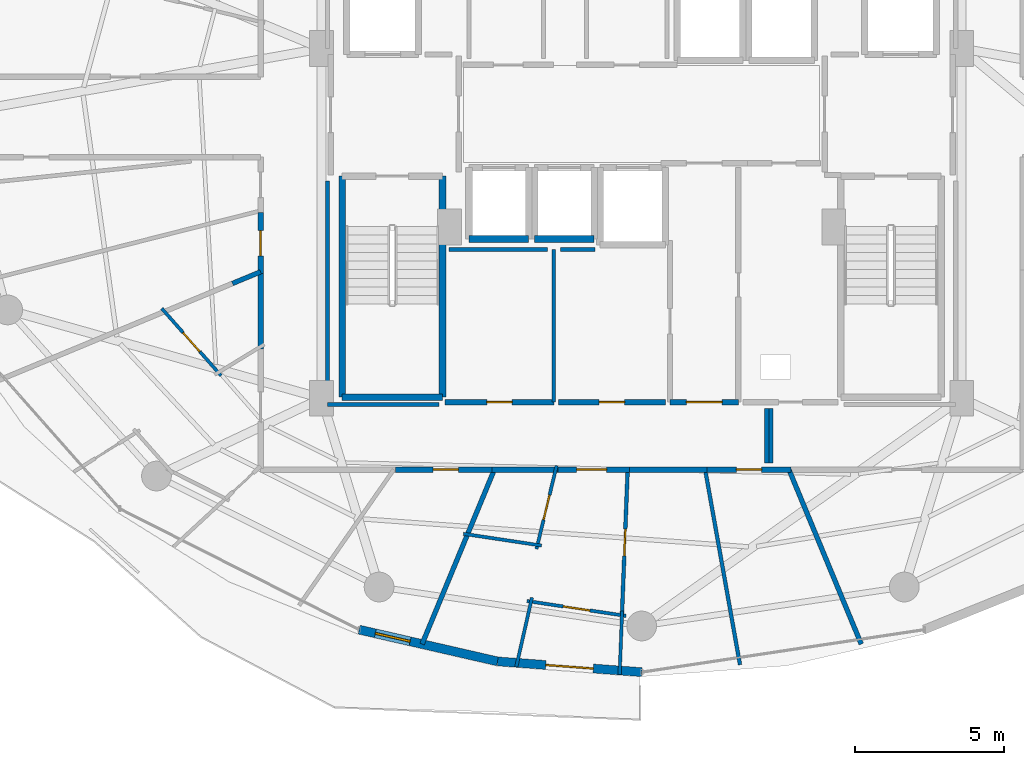
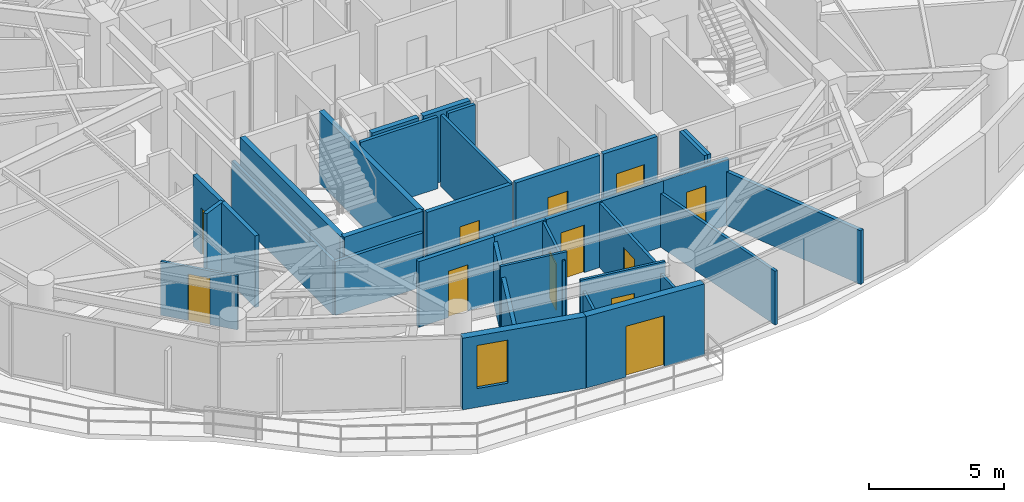
# One storey, part 20 of 28: 35 walls, 12 doors, 1 window, 13 openings.
"""IFC4 building model written with IfcOpenShell, lengths in metres."""

from ifc_helpers import new_model, si_unit, direction, frame, frame_2d, origin, place, context, subcontext, project, spatial, rectangle, extrude, material, layer, layer_set, type_object, element, fill, save


model = new_model("IFC4")

# Units and contexts
model_context = context("Model", 3, precision=1e-05, world=origin(), true_north=direction((0.0, 1.0)))
body_context = subcontext(model_context, "Body", "Model", "MODEL_VIEW")
ifc_project = project(units=[si_unit("LENGTHUNIT", "METRE"), si_unit("AREAUNIT", "SQUARE_METRE"), si_unit("VOLUMEUNIT", "CUBIC_METRE"), si_unit("PLANEANGLEUNIT", "RADIAN"), si_unit("MASSUNIT", "GRAM", prefix="KILO")], contexts=[model_context])

# Site, building, storey
site_placement = place(None, origin())
site = spatial("IfcSite", under=ifc_project, at=site_placement, CompositionType="ELEMENT")
building_placement = place(site_placement, origin())
building = spatial("IfcBuilding", under=site, at=building_placement, Name="Vorneva Point Tower", CompositionType="ELEMENT")
storey_placement = place(building_placement, frame((0.0, 0.0, 146.60009765625)))
storey = spatial("IfcBuildingStorey", under=building, at=storey_placement, Name="L39", CompositionType="ELEMENT", Elevation=146.60009765625)

# Wall, opening, window
ifc_material_1 = material(Name="Precast concrete B50 (C40/50)", Category="concrete")
ifc_layer_1 = layer(ifc_material_1, 0.300048828125)
ifc_layer_set_1 = layer_set([ifc_layer_1], Name="Precast concrete B50 (C40/50)")
wall_type_1 = type_object("IfcWallType", Name="WL-EXT-300", PredefinedType="STANDARD", material=ifc_layer_set_1)
wall_1_placement = place(storey_placement, frame((28.509521484375, 8.67724609375, 0.0), z_axis=(0.0, 0.0, 1.0), x_axis=(0.974698897188, -0.223521944832, 0.0)))
wall_1 = element("IfcWall", 1, at=wall_1_placement, inside=storey, type_object=wall_type_1, Name="L39 Pale-Metal Facade Spandrel Wall 12.1", PredefinedType="STANDARD", context=body_context, shape_type="SweptSolid", body=[
    extrude(rectangle(XDim=4.773193359375, YDim=0.300048828125, at=frame_2d((2.38671875, 0.0))), origin(), (0.0, 0.0, 1.0), 3.239990234375),
])
opening_1_placement = place(wall_1_placement, frame((0.55908203125, 0.0, 0.85009765625)))
opening_1 = element("IfcOpeningElement", 2, at=opening_1_placement, cuts=wall_1, Name="Opening W-04", PredefinedType="OPENING", context=body_context, shape_type="SweptSolid", body=[
    extrude(rectangle(XDim=1.199951171875, YDim=1.949951171875, at=frame_2d((0.60009765625, 0.97509765625))), frame((0.0, 0.1650390625, 0.0), z_axis=(0.0, -1.0, 0.0), x_axis=(1.0, 0.0, 0.0)), (0.0, 0.0, 1.0), 0.329833984375),
])
ifc_material_2 = material(Name="Double low-e laminated glass IGU", Category="glass")
window_type = type_object("IfcWindowType", Name="WN-RES-1200", PartitioningType="SINGLE_PANEL", PredefinedType="WINDOW", material=ifc_material_2)
window_placement = place(opening_1_placement, origin())
window = element("IfcWindow", 3, at=window_placement, inside=storey, type_object=window_type, Name="L39 Dwelling Vision Window 02", OverallHeight=1.949951171875, OverallWidth=1.199951171875, PartitioningType="SINGLE_PANEL", PredefinedType="WINDOW", context=body_context, shape_type="SweptSolid", body=[
    extrude(rectangle(XDim=1.199951171875, YDim=1.949951171875, at=frame_2d((0.60009765625, 0.97509765625))), frame((0.0, 0.030029296875, 0.0), z_axis=(0.0, -1.0, 0.0), x_axis=(1.0, 0.0, 0.0)), (0.0, 0.0, 1.0), 0.06005859375),
])
fill(opening_1, window)

# Wall, opening, door
wall_2_placement = place(storey_placement, frame((33.161865234375, 7.6103515625, 0.0), z_axis=(0.0, 0.0, 1.0), x_axis=(0.997237740067, -0.074275768499, 0.0)))
wall_2 = element("IfcWall", 4, at=wall_2_placement, inside=storey, type_object=wall_type_1, Name="L39 Pale-Metal Facade Spandrel Wall 12.2", PredefinedType="STANDARD", context=body_context, shape_type="SweptSolid", body=[
    extrude(rectangle(XDim=4.8515625, YDim=0.300048828125, at=frame_2d((2.42578125, 0.0))), origin(), (0.0, 0.0, 1.0), 3.239990234375),
])
opening_2_placement = place(wall_2_placement, frame((1.625732421875, 0.0, 0.0)))
opening_2 = element("IfcOpeningElement", 5, at=opening_2_placement, cuts=wall_2, Name="Opening BD-01", PredefinedType="OPENING", context=body_context, shape_type="SweptSolid", body=[
    extrude(rectangle(XDim=1.60009765625, YDim=2.300048828125, at=frame_2d((0.800048828125, 1.14990234375))), frame((0.0, 0.1650390625, 0.0), z_axis=(0.0, -1.0, 0.0), x_axis=(1.0, 0.0, 0.0)), (0.0, 0.0, 1.0), 0.329833984375),
])
ifc_material_3 = material(Name="Pale anodised aluminium", Category="aluminium")
door_type_1 = type_object("IfcDoorType", Name="DR-BAL-1600", OperationType="SLIDING_TO_LEFT", PredefinedType="DOOR", material=ifc_material_3)
door_1_placement = place(opening_2_placement, origin())
door_1 = element("IfcDoor", 6, at=door_1_placement, inside=storey, type_object=door_type_1, Name="L39 Balcony Terrace Access Door 12", OperationType="SLIDING_TO_LEFT", OverallHeight=2.300048828125, OverallWidth=1.60009765625, PredefinedType="DOOR", context=body_context, shape_type="SweptSolid", body=[
    extrude(rectangle(XDim=1.60009765625, YDim=2.300048828125, at=frame_2d((0.800048828125, 1.14990234375))), frame((0.0, 0.02490234375, 0.0), z_axis=(0.0, -1.0, 0.0), x_axis=(1.0, 0.0, 0.0)), (0.0, 0.0, 1.0), 0.050048828125),
])
fill(opening_2, door_1)

ifc_material_4 = material(Name="Fire-rated acoustic gypsum stud partition", Category="gypsum")
ifc_layer_2 = layer(ifc_material_4, 0.110107421875)
ifc_layer_set_2 = layer_set([ifc_layer_2], Name="Fire-rated acoustic gypsum stud partition")
wall_type_2 = type_object("IfcWallType", Name="WL-PART-110", PredefinedType="PARTITIONING", material=ifc_layer_set_2)
wall_3_placement = place(storey_placement, frame((23.87158203125, 17.211181640625, 0.0), z_axis=(0.0, 0.0, 1.0), x_axis=(-0.66196248337, 0.74953697081, 0.0)))
wall_3 = element("IfcWall", 7, at=wall_3_placement, inside=storey, type_object=wall_type_2, Name="L39 Interior Partition 117", PredefinedType="PARTITIONING", context=body_context, shape_type="SweptSolid", body=[
    extrude(rectangle(XDim=3.008056640625, YDim=0.110107421875, at=frame_2d((1.50390625, 0.0))), origin(), (0.0, 0.0, 1.0), 2.431884765625),
])
opening_3_placement = place(wall_3_placement, frame((1.0791015625, 0.0, 0.0)))
opening_3 = element("IfcOpeningElement", 8, at=opening_3_placement, cuts=wall_3, Name="Opening ID-02", PredefinedType="OPENING", context=body_context, shape_type="SweptSolid", body=[
    extrude(rectangle(XDim=0.85009765625, YDim=2.10009765625, at=frame_2d((0.425048828125, 1.050048828125))), frame((0.0, 0.06982421875, 0.0), z_axis=(0.0, -1.0, 0.0), x_axis=(1.0, 0.0, 0.0)), (0.0, 0.0, 1.0), 0.139892578125),
])
ifc_material_5 = material(Name="Engineered oak fire-rated door leaf", Category="wood")
door_type_2 = type_object("IfcDoorType", Name="DR-BATH-850", OperationType="NOTDEFINED", PredefinedType="DOOR", material=ifc_material_5)
door_2_placement = place(opening_3_placement, origin())
door_2 = element("IfcDoor", 9, at=door_2_placement, inside=storey, type_object=door_type_2, Name="L39 Door Living and Dining Room L39-05 / Bathroom L39-05", OperationType="SINGLE_SWING_LEFT", OverallHeight=2.10009765625, OverallWidth=0.85009765625, PredefinedType="DOOR", context=body_context, shape_type="SweptSolid", body=[
    extrude(rectangle(XDim=0.85009765625, YDim=2.10009765625, at=frame_2d((0.425048828125, 1.050048828125))), frame((0.0, 0.02490234375, 0.0), z_axis=(0.0, -1.0, 0.0), x_axis=(1.0, 0.0, 0.0)), (0.0, 0.0, 1.0), 0.050048828125),
])
fill(opening_3, door_2)

wall_4_placement = place(storey_placement, frame((35.143798828125, 14.18603515625, 0.0), z_axis=(0.0, 0.0, 1.0), x_axis=(-0.234930486238, -0.972012174119, 0.0)))
wall_4 = element("IfcWall", 10, at=wall_4_placement, inside=storey, type_object=wall_type_2, Name="L39 Interior Partition 125", PredefinedType="PARTITIONING", context=body_context, shape_type="SweptSolid", body=[
    extrude(rectangle(XDim=2.880615234375, YDim=0.110107421875, at=frame_2d((1.4404296875, 0.0))), origin(), (0.0, 0.0, 1.0), 2.921875),
])
opening_4_placement = place(wall_4_placement, frame((1.015380859375, 0.0, 0.0)))
opening_4 = element("IfcOpeningElement", 11, at=opening_4_placement, cuts=wall_4, Name="Opening ID-02", PredefinedType="OPENING", context=body_context, shape_type="SweptSolid", body=[
    extrude(rectangle(XDim=0.85009765625, YDim=2.10009765625, at=frame_2d((0.425048828125, 1.050048828125))), frame((0.0, 0.06982421875, 0.0), z_axis=(0.0, -1.0, 0.0), x_axis=(1.0, 0.0, 0.0)), (0.0, 0.0, 1.0), 0.139892578125),
])
door_3_placement = place(opening_4_placement, origin())
door_3 = element("IfcDoor", 12, at=door_3_placement, inside=storey, type_object=door_type_2, Name="L39 Door Living and Dining Room L39-06 / Bathroom L39-06", OperationType="SINGLE_SWING_RIGHT", OverallHeight=2.10009765625, OverallWidth=0.85009765625, PredefinedType="DOOR", context=body_context, shape_type="SweptSolid", body=[
    extrude(rectangle(XDim=0.85009765625, YDim=2.10009765625, at=frame_2d((0.425048828125, 1.050048828125))), frame((0.0, 0.02490234375, 0.0), z_axis=(0.0, -1.0, 0.0), x_axis=(1.0, 0.0, 0.0)), (0.0, 0.0, 1.0), 0.050048828125),
])
fill(opening_4, door_3)

# Wall
wall_5_placement = place(storey_placement, frame((34.638427734375, 11.501220703125, 0.0), z_axis=(0.0, 0.0, 1.0), x_axis=(-0.988839741605, 0.148983104484, 0.0)))
element("IfcWall", 13, at=wall_5_placement, inside=storey, type_object=wall_type_2, Name="L39 Interior Partition 126", PredefinedType="PARTITIONING", context=body_context, shape_type="SweptSolid", body=[
    extrude(rectangle(XDim=2.65625, YDim=0.110107421875, at=frame_2d((1.328125, 0.0))), origin(), (0.0, 0.0, 1.0), 3.239990234375),
])

# Wall, opening, door
wall_6_placement = place(storey_placement, frame((34.1455078125, 9.639892578125, 0.0), z_axis=(0.0, 0.0, 1.0), x_axis=(0.988887919082, -0.148662986296, 0.0)))
wall_6 = element("IfcWall", 14, at=wall_6_placement, inside=storey, type_object=wall_type_2, Name="L39 Interior Partition 127", PredefinedType="PARTITIONING", context=body_context, shape_type="SweptSolid", body=[
    extrude(rectangle(XDim=3.3681640625, YDim=0.110107421875, at=frame_2d((1.68408203125, 0.0))), origin(), (0.0, 0.0, 1.0), 3.239990234375),
])
opening_5_placement = place(wall_6_placement, frame((1.234130859375, 0.0, 0.0)))
opening_5 = element("IfcOpeningElement", 15, at=opening_5_placement, cuts=wall_6, Name="Opening ID-01", PredefinedType="OPENING", context=body_context, shape_type="SweptSolid", body=[
    extrude(rectangle(XDim=0.89990234375, YDim=2.10009765625, at=frame_2d((0.449951171875, 1.050048828125))), frame((0.0, 0.06982421875, 0.0), z_axis=(0.0, -1.0, 0.0), x_axis=(1.0, 0.0, 0.0)), (0.0, 0.0, 1.0), 0.139892578125),
])
door_type_3 = type_object("IfcDoorType", Name="DR-ROOM-900", OperationType="NOTDEFINED", PredefinedType="DOOR", material=ifc_material_5)
door_4_placement = place(opening_5_placement, origin())
door_4 = element("IfcDoor", 16, at=door_4_placement, inside=storey, type_object=door_type_3, Name="L39 Door Living and Dining Room L39-06 / Kitchen L39-06", OperationType="SINGLE_SWING_LEFT", OverallHeight=2.10009765625, OverallWidth=0.89990234375, PredefinedType="DOOR", context=body_context, shape_type="SweptSolid", body=[
    extrude(rectangle(XDim=0.89990234375, YDim=2.10009765625, at=frame_2d((0.449951171875, 1.050048828125))), frame((0.0, 0.02490234375, 0.0), z_axis=(0.0, -1.0, 0.0), x_axis=(1.0, 0.0, 0.0)), (0.0, 0.0, 1.0), 0.050048828125),
])
fill(opening_5, door_4)

# Walls
wall_7_placement = place(storey_placement, frame((33.787109375, 7.425537109375, 0.0), z_axis=(0.0, 0.0, 1.0), x_axis=(0.220932027223, 0.975289208054, 0.0)))
element("IfcWall", 17, at=wall_7_placement, inside=storey, type_object=wall_type_2, Name="L39 Interior Partition 128", PredefinedType="PARTITIONING", context=body_context, shape_type="SweptSolid", body=[
    extrude(rectangle(XDim=2.38916015625, YDim=0.110107421875, at=frame_2d((1.194580078125, 0.0))), origin(), (0.0, 0.0, 1.0), 2.727783203125),
])
wall_8_placement = place(storey_placement, frame((37.259521484375, 7.1650390625, 0.0), z_axis=(0.0, 0.0, 1.0), x_axis=(0.039310852952, 0.999227029679, 0.0)))
element("IfcWall", 18, at=wall_8_placement, inside=storey, type_object=wall_type_2, Name="L39 Interior Partition 130", PredefinedType="PARTITIONING", context=body_context, shape_type="SweptSolid", body=[
    extrude(rectangle(XDim=2.136474609375, YDim=0.110107421875, at=frame_2d((1.068359375, 0.0))), origin(), (0.0, 0.0, 1.0), 2.727783203125),
])
ifc_layer_3 = layer(ifc_material_4, 0.125)
ifc_layer_set_3 = layer_set([ifc_layer_3], Name="Fire-rated acoustic gypsum stud partition")
wall_type_3 = type_object("IfcWallType", Name="WL-PART-125", PredefinedType="PARTITIONING", material=ifc_layer_set_3)
wall_9_placement = place(storey_placement, frame((35.050048828125, 16.320068359375, 0.0), z_axis=(0.0, 0.0, 1.0), x_axis=(0.0, 1.0, 0.0)))
element("IfcWall", 19, at=wall_9_placement, inside=storey, type_object=wall_type_3, Name="L39 Interior Partition 026", PredefinedType="PARTITIONING", context=body_context, shape_type="SweptSolid", body=[
    extrude(rectangle(XDim=5.1298828125, YDim=0.125, at=frame_2d((2.56494140625, 0.0))), origin(), (0.0, 0.0, 1.0), 3.239990234375),
])

# Wall, opening, door
wall_10_placement = place(storey_placement, frame((37.337890625, 9.159912109375, 0.0), z_axis=(0.0, 0.0, 1.0), x_axis=(0.039260769946, 0.99922899875, 0.0)))
wall_10 = element("IfcWall", 20, at=wall_10_placement, inside=storey, type_object=wall_type_3, Name="L39 Interior Partition 129", PredefinedType="PARTITIONING", context=body_context, shape_type="SweptSolid", body=[
    extrude(rectangle(XDim=4.893798828125, YDim=0.125, at=frame_2d((2.44677734375, 0.0))), origin(), (0.0, 0.0, 1.0), 2.921875),
])
opening_6_placement = place(wall_10_placement, frame((1.996826171875, 0.0, 0.0)))
opening_6 = element("IfcOpeningElement", 21, at=opening_6_placement, cuts=wall_10, Name="Opening ID-01", PredefinedType="OPENING", context=body_context, shape_type="SweptSolid", body=[
    extrude(rectangle(XDim=0.89990234375, YDim=2.10009765625, at=frame_2d((0.449951171875, 1.050048828125))), frame((0.0, 0.077392578125, 0.0), z_axis=(0.0, -1.0, 0.0), x_axis=(1.0, 0.0, 0.0)), (0.0, 0.0, 1.0), 0.15478515625),
])
door_5_placement = place(opening_6_placement, origin())
door_5 = element("IfcDoor", 22, at=door_5_placement, inside=storey, type_object=door_type_3, Name="L39 Door Living and Dining Room L39-06 / Master Bedroom L39-06.1", OperationType="SINGLE_SWING_RIGHT", OverallHeight=2.10009765625, OverallWidth=0.89990234375, PredefinedType="DOOR", context=body_context, shape_type="SweptSolid", body=[
    extrude(rectangle(XDim=0.89990234375, YDim=2.10009765625, at=frame_2d((0.449951171875, 1.050048828125))), frame((0.0, 0.02490234375, 0.0), z_axis=(0.0, -1.0, 0.0), x_axis=(1.0, 0.0, 0.0)), (0.0, 0.0, 1.0), 0.050048828125),
])
fill(opening_6, door_5)

# Walls
wall_11_placement = place(storey_placement, frame((41.303955078125, 7.4970703125, 0.0), z_axis=(0.0, 0.0, 1.0), x_axis=(-0.175753825846, 0.984434148484, 0.0)))
element("IfcWall", 23, at=wall_11_placement, inside=storey, type_object=wall_type_3, Name="L39 Interior Partition 131", PredefinedType="PARTITIONING", context=body_context, shape_type="SweptSolid", body=[
    extrude(rectangle(XDim=6.656494140625, YDim=0.125, at=frame_2d((3.328125, 0.0))), origin(), (0.0, 0.0, 1.0), 2.431884765625),
])
ifc_layer_4 = layer(ifc_material_4, 0.139892578125)
ifc_layer_set_4 = layer_set([ifc_layer_4], Name="Fire-rated acoustic gypsum stud partition")
wall_type_4 = type_object("IfcWallType", Name="WL-PART-140", PredefinedType="PARTITIONING", material=ifc_layer_set_4)
wall_12_placement = place(storey_placement, frame((34.830078125, 21.449951171875, 0.0), z_axis=(0.0, 0.0, 1.0), x_axis=(-1.0, 0.0, 0.0)))
element("IfcWall", 24, at=wall_12_placement, inside=storey, type_object=wall_type_4, Name="L39 Interior Closure Partition 140", PredefinedType="PARTITIONING", context=body_context, shape_type="SweptSolid", body=[
    extrude(rectangle(XDim=3.300048828125, YDim=0.139892578125, at=frame_2d((1.64990234375, 0.0))), origin(), (0.0, 0.0, 1.0), 3.239990234375),
])
wall_13_placement = place(storey_placement, frame((36.43896484375, 21.449951171875, 0.0), z_axis=(0.0, 0.0, 1.0), x_axis=(-1.0, 0.0, 0.0)))
element("IfcWall", 25, at=wall_13_placement, inside=storey, type_object=wall_type_4, Name="L39 Interior Closure Partition 141", PredefinedType="PARTITIONING", context=body_context, shape_type="SweptSolid", body=[
    extrude(rectangle(XDim=1.158935546875, YDim=0.139892578125, at=frame_2d((0.57958984375, 0.0))), origin(), (0.0, 0.0, 1.0), 3.239990234375),
])
wall_14_placement = place(storey_placement, frame((27.449951171875, 23.75390625, 0.0), z_axis=(0.0, 0.0, 1.0), x_axis=(0.0, -1.0, 0.0)))
element("IfcWall", 26, at=wall_14_placement, inside=storey, type_object=wall_type_4, Name="L39 Interior Closure Partition 152", PredefinedType="PARTITIONING", context=body_context, shape_type="SweptSolid", body=[
    extrude(rectangle(XDim=7.513916015625, YDim=0.139892578125, at=frame_2d((3.7568359375, 0.0))), origin(), (0.0, 0.0, 1.0), 2.431884765625),
])
wall_15_placement = place(storey_placement, frame((27.449951171875, 16.239990234375, 0.0), z_axis=(0.0, 0.0, 1.0), x_axis=(1.0, 0.0, 0.0)))
element("IfcWall", 27, at=wall_15_placement, inside=storey, type_object=wall_type_4, Name="L39 Interior Closure Partition 153", PredefinedType="PARTITIONING", context=body_context, shape_type="SweptSolid", body=[
    extrude(rectangle(XDim=3.7451171875, YDim=0.139892578125, at=frame_2d((1.87255859375, 0.0))), origin(), (0.0, 0.0, 1.0), 2.431884765625),
])
for number, where, z_axis, x_axis, name in (
    (28, (42.199951171875, 16.10009765625, 0.0), (0.0, 0.0, 1.0), (0.0, -1.0, 0.0), "L39 Interior Closure Partition 154"),
    (29, (42.340087890625, 14.27001953125, 0.0), (0.0, 0.0, 1.0), (0.0, 1.0, 0.0), "L39 Interior Closure Partition 155"),
):
    element("IfcWall", number, at=place(storey_placement, frame(where, z_axis=z_axis, x_axis=x_axis)), inside=storey, type_object=wall_type_4, Name=name, PredefinedType="PARTITIONING", context=body_context, shape_type="SweptSolid", body=[
        extrude(rectangle(XDim=1.830078125, YDim=0.139892578125, at=frame_2d((0.9150390625, 0.0))), origin(), (0.0, 0.0, 1.0), 3.239990234375),
    ])
ifc_layer_5 = layer(ifc_material_4, 0.159912109375)
ifc_layer_set_5 = layer_set([ifc_layer_5], Name="Fire-rated acoustic gypsum stud partition")
wall_type_5 = type_object("IfcWallType", Name="WL-PART-160", PredefinedType="PARTITIONING", material=ifc_layer_set_5)
wall_16_placement = place(storey_placement, frame((24.253662109375, 20.306396484375, 0.0), z_axis=(0.0, 0.0, 1.0), x_axis=(0.923789545328, 0.382900608439, 0.0)))
element("IfcWall", 30, at=wall_16_placement, inside=storey, type_object=wall_type_5, Name="L39 Interior Partition 115", PredefinedType="PARTITIONING", context=body_context, shape_type="SweptSolid", body=[
    extrude(rectangle(XDim=1.021484375, YDim=0.159912109375, at=frame_2d((0.5107421875, 0.0))), origin(), (0.0, 0.0, 1.0), 3.239990234375),
])
wall_17_placement = place(storey_placement, frame((30.6240234375, 8.193115234375, 0.0), z_axis=(0.0, 0.0, 1.0), x_axis=(0.382683979298, 0.923879305964, 0.0)))
element("IfcWall", 31, at=wall_17_placement, inside=storey, type_object=wall_type_5, Name="L39 Interior Partition 124", PredefinedType="PARTITIONING", context=body_context, shape_type="SweptSolid", body=[
    extrude(rectangle(XDim=6.339599609375, YDim=0.159912109375, at=frame_2d((3.169921875, 0.0))), origin(), (0.0, 0.0, 1.0), 2.727783203125),
])
wall_18_placement = place(storey_placement, frame((45.3759765625, 8.193115234375, 0.0), z_axis=(0.0, 0.0, 1.0), x_axis=(-0.382683979298, 0.923879305964, 0.0)))
element("IfcWall", 32, at=wall_18_placement, inside=storey, type_object=wall_type_5, Name="L39 Interior Partition 132", PredefinedType="PARTITIONING", context=body_context, shape_type="SweptSolid", body=[
    extrude(rectangle(XDim=6.339599609375, YDim=0.159912109375, at=frame_2d((3.169921875, 0.0))), origin(), (0.0, 0.0, 1.0), 2.431884765625),
])

# Wall, opening, door
ifc_material_6 = material(Name="Autoclaved aerated concrete blockwork", Category="masonry")
ifc_layer_6 = layer(ifc_material_6, 0.179931640625)
ifc_layer_set_6 = layer_set([ifc_layer_6], Name="Autoclaved aerated concrete blockwork")
wall_type_6 = type_object("IfcWallType", Name="WL-PART-180", PredefinedType="PARTITIONING", material=ifc_layer_set_6)
wall_19_placement = place(storey_placement, frame((38.949951171875, 16.320068359375, 0.0), z_axis=(0.0, 0.0, 1.0), x_axis=(1.0, 0.0, 0.0)))
wall_19 = element("IfcWall", 33, at=wall_19_placement, inside=storey, type_object=wall_type_6, Name="L39 Interior Partition 016", PredefinedType="PARTITIONING", context=body_context, shape_type="SweptSolid", body=[
    extrude(rectangle(XDim=2.300048828125, YDim=0.179931640625, at=frame_2d((1.14990234375, 0.0))), origin(), (0.0, 0.0, 1.0), 3.239990234375),
])
opening_7_placement = place(wall_19_placement, frame((0.550048828125, 0.0, 0.0)))
opening_7 = element("IfcOpeningElement", 34, at=opening_7_placement, cuts=wall_19, Name="Opening FD-02", PredefinedType="OPENING", context=body_context, shape_type="SweptSolid", body=[
    extrude(rectangle(XDim=1.199951171875, YDim=2.14990234375, at=frame_2d((0.60009765625, 1.074951171875))), frame((0.0, 0.10498046875, 0.0), z_axis=(0.0, -1.0, 0.0), x_axis=(1.0, 0.0, 0.0)), (0.0, 0.0, 1.0), 0.209716796875),
])
ifc_material_7 = material(Name="Fire-rated powder-coated steel", Category="steel")
door_type_4 = type_object("IfcDoorType", Name="DR-FFL-1200", OperationType="NOTDEFINED", PredefinedType="DOOR", material=ifc_material_7)
door_6_placement = place(opening_7_placement, origin())
door_6 = element("IfcDoor", 35, at=door_6_placement, inside=storey, type_object=door_type_4, Name="L39 Door Core Service Lobby / L39 Circulation Corridor", OperationType="SINGLE_SWING_RIGHT", OverallHeight=2.14990234375, OverallWidth=1.199951171875, PredefinedType="DOOR", context=body_context, shape_type="SweptSolid", body=[
    extrude(rectangle(XDim=1.199951171875, YDim=2.14990234375, at=frame_2d((0.60009765625, 1.074951171875))), frame((0.0, 0.02490234375, 0.0), z_axis=(0.0, -1.0, 0.0), x_axis=(1.0, 0.0, 0.0)), (0.0, 0.0, 1.0), 0.050048828125),
])
fill(opening_7, door_6)

wall_20_placement = place(storey_placement, frame((31.39990234375, 16.320068359375, 0.0), z_axis=(0.0, 0.0, 1.0), x_axis=(1.0, 0.0, 0.0)))
wall_20 = element("IfcWall", 36, at=wall_20_placement, inside=storey, type_object=wall_type_6, Name="L39 Interior Partition 027", PredefinedType="PARTITIONING", context=body_context, shape_type="SweptSolid", body=[
    extrude(rectangle(XDim=3.650146484375, YDim=0.179931640625, at=frame_2d((1.8251953125, 0.0))), origin(), (0.0, 0.0, 1.0), 3.239990234375),
])
opening_8_placement = place(wall_20_placement, frame((1.39990234375, 0.0, 0.0)))
opening_8 = element("IfcOpeningElement", 37, at=opening_8_placement, cuts=wall_20, Name="Opening ID-02", PredefinedType="OPENING", context=body_context, shape_type="SweptSolid", body=[
    extrude(rectangle(XDim=0.85009765625, YDim=2.10009765625, at=frame_2d((0.425048828125, 1.050048828125))), frame((0.0, 0.10498046875, 0.0), z_axis=(0.0, -1.0, 0.0), x_axis=(1.0, 0.0, 0.0)), (0.0, 0.0, 1.0), 0.209716796875),
])
door_7_placement = place(opening_8_placement, origin())
door_7 = element("IfcDoor", 38, at=door_7_placement, inside=storey, type_object=door_type_2, Name="L39 Door Cleaners Store / L39 Circulation Corridor", OperationType="SINGLE_SWING_LEFT", OverallHeight=2.10009765625, OverallWidth=0.85009765625, PredefinedType="DOOR", context=body_context, shape_type="SweptSolid", body=[
    extrude(rectangle(XDim=0.85009765625, YDim=2.10009765625, at=frame_2d((0.425048828125, 1.050048828125))), frame((0.0, 0.02490234375, 0.0), z_axis=(0.0, -1.0, 0.0), x_axis=(1.0, 0.0, 0.0)), (0.0, 0.0, 1.0), 0.050048828125),
])
fill(opening_8, door_7)

wall_21_placement = place(storey_placement, frame((35.199951171875, 16.320068359375, 0.0), z_axis=(0.0, 0.0, 1.0), x_axis=(1.0, 0.0, 0.0)))
wall_21 = element("IfcWall", 39, at=wall_21_placement, inside=storey, type_object=wall_type_6, Name="L39 Interior Partition 028", PredefinedType="PARTITIONING", context=body_context, shape_type="SweptSolid", body=[
    extrude(rectangle(XDim=3.60009765625, YDim=0.179931640625, at=frame_2d((1.800048828125, 0.0))), origin(), (0.0, 0.0, 1.0), 3.239990234375),
])
opening_9_placement = place(wall_21_placement, frame((1.375, 0.0, 0.0)))
opening_9 = element("IfcOpeningElement", 40, at=opening_9_placement, cuts=wall_21, Name="Opening ID-02", PredefinedType="OPENING", context=body_context, shape_type="SweptSolid", body=[
    extrude(rectangle(XDim=0.85009765625, YDim=2.10009765625, at=frame_2d((0.425048828125, 1.050048828125))), frame((0.0, 0.10498046875, 0.0), z_axis=(0.0, -1.0, 0.0), x_axis=(1.0, 0.0, 0.0)), (0.0, 0.0, 1.0), 0.209716796875),
])
door_8_placement = place(opening_9_placement, origin())
door_8 = element("IfcDoor", 41, at=door_8_placement, inside=storey, type_object=door_type_2, Name="L39 Door Tenant Equipment Store / L39 Circulation Corridor", OperationType="SINGLE_SWING_RIGHT", OverallHeight=2.10009765625, OverallWidth=0.85009765625, PredefinedType="DOOR", context=body_context, shape_type="SweptSolid", body=[
    extrude(rectangle(XDim=0.85009765625, YDim=2.10009765625, at=frame_2d((0.425048828125, 1.050048828125))), frame((0.0, 0.02490234375, 0.0), z_axis=(0.0, -1.0, 0.0), x_axis=(1.0, 0.0, 0.0)), (0.0, 0.0, 1.0), 0.050048828125),
])
fill(opening_9, door_8)

wall_22_placement = place(storey_placement, frame((25.199951171875, 22.68701171875, 0.0), z_axis=(0.0, 0.0, 1.0), x_axis=(0.0, -1.0, 0.0)))
wall_22 = element("IfcWall", 42, at=wall_22_placement, inside=storey, type_object=wall_type_6, Name="L39 Interior Partition 052", PredefinedType="PARTITIONING", context=body_context, shape_type="SweptSolid", body=[
    extrude(rectangle(XDim=2.053955078125, YDim=0.179931640625, at=frame_2d((1.02685546875, 0.0))), origin(), (0.0, 0.0, 1.0), 3.239990234375),
])
opening_10_placement = place(wall_22_placement, frame((0.60205078125, 0.0, 0.0)))
opening_10 = element("IfcOpeningElement", 43, at=opening_10_placement, cuts=wall_22, Name="Opening ID-02", PredefinedType="OPENING", context=body_context, shape_type="SweptSolid", body=[
    extrude(rectangle(XDim=0.85009765625, YDim=2.10009765625, at=frame_2d((0.425048828125, 1.050048828125))), frame((0.0, 0.10498046875, 0.0), z_axis=(0.0, -1.0, 0.0), x_axis=(1.0, 0.0, 0.0)), (0.0, 0.0, 1.0), 0.209716796875),
])
door_9_placement = place(opening_10_placement, origin())
door_9 = element("IfcDoor", 44, at=door_9_placement, inside=storey, type_object=door_type_2, Name="L39 Access Door L39 Circulation Corridor", OperationType="SINGLE_SWING_LEFT", OverallHeight=2.10009765625, OverallWidth=0.85009765625, PredefinedType="DOOR", context=body_context, shape_type="SweptSolid", body=[
    extrude(rectangle(XDim=0.85009765625, YDim=2.10009765625, at=frame_2d((0.425048828125, 1.050048828125))), frame((0.0, 0.02490234375, 0.0), z_axis=(0.0, -1.0, 0.0), x_axis=(1.0, 0.0, 0.0)), (0.0, 0.0, 1.0), 0.050048828125),
])
fill(opening_10, door_9)

# Wall
wall_23_placement = place(storey_placement, frame((25.199951171875, 20.77294921875, 0.0), z_axis=(0.0, 0.0, 1.0), x_axis=(0.0, -1.0, 0.0)))
element("IfcWall", 45, at=wall_23_placement, inside=storey, type_object=wall_type_6, Name="L39 Interior Partition 054", PredefinedType="PARTITIONING", context=body_context, shape_type="SweptSolid", body=[
    extrude(rectangle(XDim=2.6689453125, YDim=0.179931640625, at=frame_2d((1.33447265625, 0.0))), origin(), (0.0, 0.0, 1.0), 3.239990234375),
])

# Wall, opening, door
wall_24_placement = place(storey_placement, frame((29.73095703125, 14.050048828125, 0.0), z_axis=(0.0, 0.0, 1.0), x_axis=(1.0, 0.0, 0.0)))
wall_24 = element("IfcWall", 46, at=wall_24_placement, inside=storey, type_object=wall_type_6, Name="L39 Interior Partition 056", PredefinedType="PARTITIONING", context=body_context, shape_type="SweptSolid", body=[
    extrude(rectangle(XDim=3.379150390625, YDim=0.179931640625, at=frame_2d((1.689453125, 0.0))), origin(), (0.0, 0.0, 1.0), 2.971923828125),
])
opening_11_placement = place(wall_24_placement, frame((1.264404296875, 0.0, 0.0)))
opening_11 = element("IfcOpeningElement", 47, at=opening_11_placement, cuts=wall_24, Name="Opening ID-02", PredefinedType="OPENING", context=body_context, shape_type="SweptSolid", body=[
    extrude(rectangle(XDim=0.85009765625, YDim=2.10009765625, at=frame_2d((0.425048828125, 1.050048828125))), frame((0.0, 0.10498046875, 0.0), z_axis=(0.0, -1.0, 0.0), x_axis=(1.0, 0.0, 0.0)), (0.0, 0.0, 1.0), 0.209716796875),
])
door_10_placement = place(opening_11_placement, origin())
door_10 = element("IfcDoor", 48, at=door_10_placement, inside=storey, type_object=door_type_2, Name="L39 Access Door L39 Circulation Corridor", OperationType="SINGLE_SWING_RIGHT", OverallHeight=2.10009765625, OverallWidth=0.85009765625, PredefinedType="DOOR", context=body_context, shape_type="SweptSolid", body=[
    extrude(rectangle(XDim=0.85009765625, YDim=2.10009765625, at=frame_2d((0.425048828125, 1.050048828125))), frame((0.0, 0.02490234375, 0.0), z_axis=(0.0, -1.0, 0.0), x_axis=(1.0, 0.0, 0.0)), (0.0, 0.0, 1.0), 0.050048828125),
])
fill(opening_11, door_10)

wall_25_placement = place(storey_placement, frame((35.049072265625, 14.050048828125, 0.0), z_axis=(0.0, 0.0, 1.0), x_axis=(1.0, 0.0, 0.0)))
wall_25 = element("IfcWall", 49, at=wall_25_placement, inside=storey, type_object=wall_type_6, Name="L39 Interior Partition 057", PredefinedType="PARTITIONING", context=body_context, shape_type="SweptSolid", body=[
    extrude(rectangle(XDim=2.541015625, YDim=0.179931640625, at=frame_2d((1.2705078125, 0.0))), origin(), (0.0, 0.0, 1.0), 2.971923828125),
])
opening_12_placement = place(wall_25_placement, frame((0.7705078125, 0.0, 0.0)))
opening_12 = element("IfcOpeningElement", 50, at=opening_12_placement, cuts=wall_25, Name="Opening UD-01", PredefinedType="OPENING", context=body_context, shape_type="SweptSolid", body=[
    extrude(rectangle(XDim=1.0, YDim=2.14990234375, at=frame_2d((0.5, 1.074951171875))), frame((0.0, 0.10498046875, 0.0), z_axis=(0.0, -1.0, 0.0), x_axis=(1.0, 0.0, 0.0)), (0.0, 0.0, 1.0), 0.209716796875),
])
door_type_5 = type_object("IfcDoorType", Name="DR-UNIT-1000", OperationType="NOTDEFINED", PredefinedType="DOOR", material=ifc_material_5)
door_11_placement = place(opening_12_placement, origin())
door_11 = element("IfcDoor", 51, at=door_11_placement, inside=storey, type_object=door_type_5, Name="L39 Door L39 Circulation Corridor / Living and Dining Room L39-06", OperationType="SINGLE_SWING_RIGHT", OverallHeight=2.14990234375, OverallWidth=1.0, PredefinedType="DOOR", context=body_context, shape_type="SweptSolid", body=[
    extrude(rectangle(XDim=1.0, YDim=2.14990234375, at=frame_2d((0.5, 1.074951171875))), frame((0.0, 0.02490234375, 0.0), z_axis=(0.0, -1.0, 0.0), x_axis=(1.0, 0.0, 0.0)), (0.0, 0.0, 1.0), 0.050048828125),
])
fill(opening_12, door_11)

# Walls
wall_26_placement = place(storey_placement, frame((32.969970703125, 14.050048828125, 0.0), z_axis=(0.0, 0.0, 1.0), x_axis=(1.0, 0.0, 0.0)))
element("IfcWall", 52, at=wall_26_placement, inside=storey, type_object=wall_type_6, Name="L39 Interior Partition 058", PredefinedType="PARTITIONING", context=body_context, shape_type="SweptSolid", body=[
    extrude(rectangle(XDim=2.218994140625, YDim=0.179931640625, at=frame_2d((1.109375, 0.0))), origin(), (0.0, 0.0, 1.0), 2.971923828125),
])
wall_27_placement = place(storey_placement, frame((37.590087890625, 14.050048828125, 0.0), z_axis=(0.0, 0.0, 1.0), x_axis=(1.0, 0.0, 0.0)))
element("IfcWall", 53, at=wall_27_placement, inside=storey, type_object=wall_type_6, Name="L39 Interior Partition 059", PredefinedType="PARTITIONING", context=body_context, shape_type="SweptSolid", body=[
    extrude(rectangle(XDim=2.60498046875, YDim=0.179931640625, at=frame_2d((1.302490234375, 0.0))), origin(), (0.0, 0.0, 1.0), 2.971923828125),
])

# Wall, opening, door
wall_28_placement = place(storey_placement, frame((40.195068359375, 14.050048828125, 0.0), z_axis=(0.0, 0.0, 1.0), x_axis=(1.0, 0.0, 0.0)))
wall_28 = element("IfcWall", 54, at=wall_28_placement, inside=storey, type_object=wall_type_6, Name="L39 Interior Partition 060", PredefinedType="PARTITIONING", context=body_context, shape_type="SweptSolid", body=[
    extrude(rectangle(XDim=2.81982421875, YDim=0.179931640625, at=frame_2d((1.409912109375, 0.0))), origin(), (0.0, 0.0, 1.0), 2.971923828125),
])
opening_13_placement = place(wall_28_placement, frame((0.985107421875, 0.0, 0.0)))
opening_13 = element("IfcOpeningElement", 55, at=opening_13_placement, cuts=wall_28, Name="Opening ID-02", PredefinedType="OPENING", context=body_context, shape_type="SweptSolid", body=[
    extrude(rectangle(XDim=0.85009765625, YDim=2.10009765625, at=frame_2d((0.425048828125, 1.050048828125))), frame((0.0, 0.10498046875, 0.0), z_axis=(0.0, -1.0, 0.0), x_axis=(1.0, 0.0, 0.0)), (0.0, 0.0, 1.0), 0.209716796875),
])
door_12_placement = place(opening_13_placement, origin())
door_12 = element("IfcDoor", 56, at=door_12_placement, inside=storey, type_object=door_type_2, Name="L39 Access Door L39 Circulation Corridor", OperationType="SINGLE_SWING_LEFT", OverallHeight=2.10009765625, OverallWidth=0.85009765625, PredefinedType="DOOR", context=body_context, shape_type="SweptSolid", body=[
    extrude(rectangle(XDim=0.85009765625, YDim=2.10009765625, at=frame_2d((0.425048828125, 1.050048828125))), frame((0.0, 0.02490234375, 0.0), z_axis=(0.0, -1.0, 0.0), x_axis=(1.0, 0.0, 0.0)), (0.0, 0.0, 1.0), 0.050048828125),
])
fill(opening_13, door_12)

# Walls
ifc_material_8 = material(Name="Concrete B50 (C40/50)", Category="concrete")
ifc_layer_7 = layer(ifc_material_8, 0.219970703125)
ifc_layer_set_7 = layer_set([ifc_layer_7], Name="Concrete B50 (C40/50)")
wall_type_7 = type_object("IfcWallType", Name="WL-SHFT-220", PredefinedType="SOLIDWALL", material=ifc_layer_set_7)
wall_29_placement = place(storey_placement, frame((31.31005859375, 23.909912109375, 0.0), z_axis=(0.0, 0.0, 1.0), x_axis=(0.0, -1.0, 0.0)))
element("IfcWall", 57, at=wall_29_placement, inside=storey, type_object=wall_type_7, Name="L39 Exit Stair ST1 Shaft Wall right", PredefinedType="SOLIDWALL", context=body_context, shape_type="SweptSolid", body=[
    extrude(rectangle(XDim=7.419921875, YDim=0.219970703125, at=frame_2d((3.7099609375, 0.0))), origin(), (0.0, 0.0, 1.0), 3.239990234375),
])
wall_30_placement = place(storey_placement, frame((31.31005859375, 16.489990234375, 0.0), z_axis=(0.0, 0.0, 1.0), x_axis=(-1.0, 0.0, 0.0)))
element("IfcWall", 58, at=wall_30_placement, inside=storey, type_object=wall_type_7, Name="L39 Exit Stair ST1 Shaft Wall far", PredefinedType="SOLIDWALL", context=body_context, shape_type="SweptSolid", body=[
    extrude(rectangle(XDim=3.3701171875, YDim=0.219970703125, at=frame_2d((1.68505859375, 0.0))), origin(), (0.0, 0.0, 1.0), 3.239990234375),
])
wall_31_placement = place(storey_placement, frame((27.93994140625, 16.489990234375, 0.0), z_axis=(0.0, 0.0, 1.0), x_axis=(0.0, 1.0, 0.0)))
element("IfcWall", 59, at=wall_31_placement, inside=storey, type_object=wall_type_7, Name="L39 Exit Stair ST1 Shaft Wall left", PredefinedType="SOLIDWALL", context=body_context, shape_type="SweptSolid", body=[
    extrude(rectangle(XDim=7.419921875, YDim=0.219970703125, at=frame_2d((3.7099609375, 0.0))), origin(), (0.0, 0.0, 1.0), 3.239990234375),
])
for number, where, z_axis, x_axis, name in (
    (60, (32.199951171875, 21.800048828125, 0.0), (0.0, 0.0, 1.0), (1.0, 0.0, 0.0), "L39 Lift PL4 Shaft Wall -Y"),
    (61, (34.39990234375, 21.800048828125, 0.0), (0.0, 0.0, 1.0), (1.0, 0.0, 0.0), "L39 Lift PL5 Shaft Wall -Y"),
):
    element("IfcWall", number, at=place(storey_placement, frame(where, z_axis=z_axis, x_axis=x_axis)), inside=storey, type_object=wall_type_7, Name=name, PredefinedType="SOLIDWALL", context=body_context, shape_type="SweptSolid", body=[
        extrude(rectangle(XDim=2.0, YDim=0.219970703125, at=frame_2d((1.0, 0.0))), origin(), (0.0, 0.0, 1.0), 3.239990234375),
    ])

save(model, "model.ifc")
